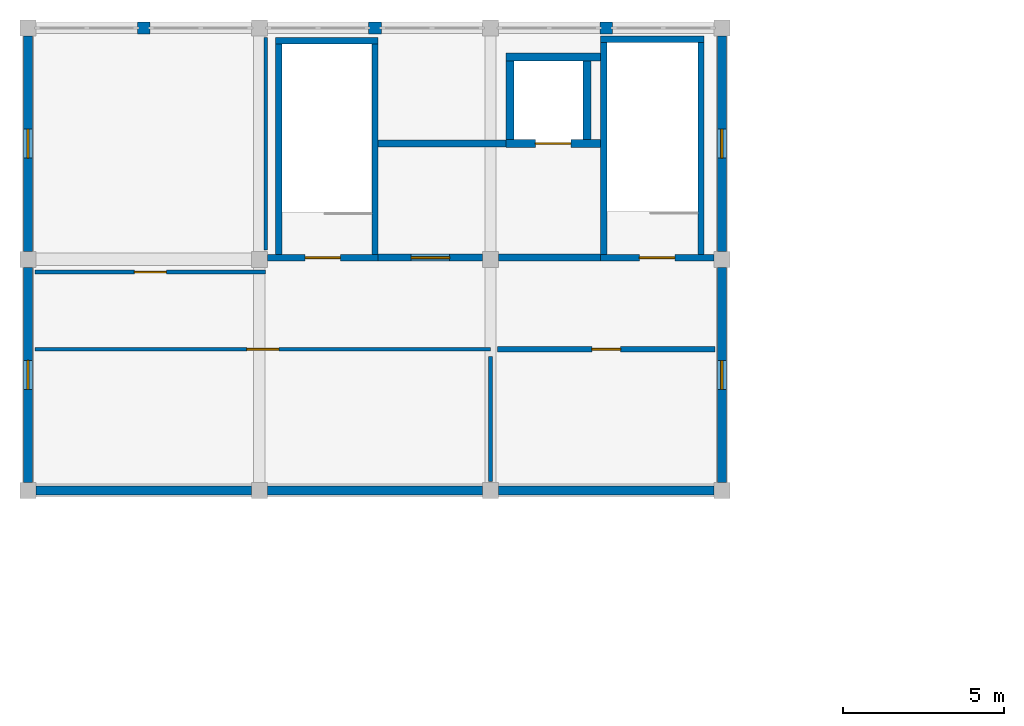
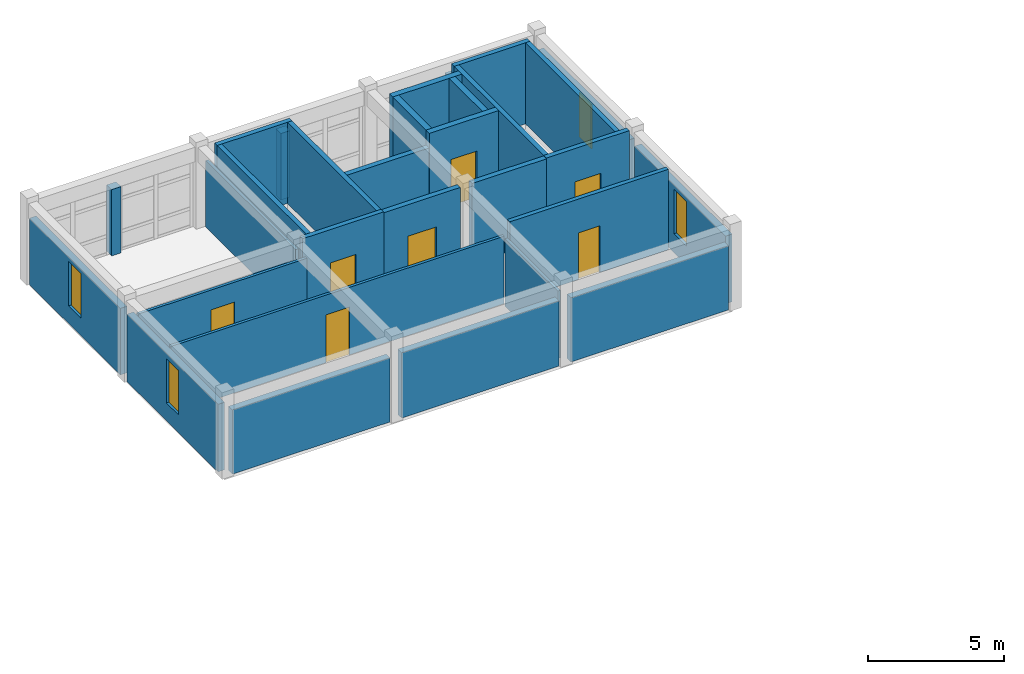
# One storey, part 12 of 14: 30 walls, 7 doors, 4 windows, 11 openings.
"""IFC4 building model written with IfcOpenShell, lengths in metres."""

import ifcopenshell
import ifcopenshell.guid

model = None  # the IFC model being written
_history = None  # IfcOwnerHistory: only IFC2X3 demands one
_inside = {}  # id of a spatial element -> (the spatial element, [elements in it])
_under = {}  # id of a project, library or spatial element -> (it, [spatial elements below it])
_declared = {}  # id of a project -> (the project, [libraries it declares])
_typed = {}  # id of a type object -> (the type object, [elements of that type])
_made_of = {}  # id of a material, layer set ... -> (it, [elements and type objects made of it])


def new_model(schema):
    """Start an empty IFC model of exactly this schema.

    Asked for "IFC4X3", IfcOpenShell would pick the latest addendum, in which some entities
    have other attributes; the version numbers below select the first issue.
    IFC2X3 requires an IfcOwnerHistory on every rooted entity: one is made here for all.
    """
    global model, _history
    if schema == "IFC4X3":
        model = ifcopenshell.file(schema_version=(4, 3, 0, 0))
    else:
        model = ifcopenshell.file(schema=schema)
    _inside.clear()
    _under.clear()
    _declared.clear()
    _typed.clear()
    _made_of.clear()
    _history = None
    if model.schema == "IFC2X3":
        org = make("IfcOrganization", Name="unknown")
        user = make(
            "IfcPersonAndOrganization",
            ThePerson=make("IfcPerson", FamilyName="unknown"),
            TheOrganization=org,
        )
        app = make(
            "IfcApplication",
            ApplicationDeveloper=org,
            Version="unknown",
            ApplicationFullName="unknown",
            ApplicationIdentifier="unknown",
        )
        _history = make(
            "IfcOwnerHistory",
            OwningUser=user,
            OwningApplication=app,
            ChangeAction="ADDED",
            CreationDate=0,
        )
    return model


def make(cls, **values):
    """One entity of the class cls with the attributes given. An attribute that is None is left unset."""
    return model.create_entity(
        cls, **{name: value for name, value in values.items() if value is not None}
    )


def rooted(cls, **values):
    """An entity with a GlobalId (a new one), such as an element, a storey or a relation."""
    return make(cls, GlobalId=ifcopenshell.guid.new(), OwnerHistory=_history, **values)


def si_unit(unit_type, name, prefix=None):
    """IfcSIUnit, for example si_unit("LENGTHUNIT", "METRE", prefix="MILLI")."""
    return make("IfcSIUnit", UnitType=unit_type, Prefix=prefix, Name=name)


def assignment(units):
    """IfcUnitAssignment: the units of a project."""
    return None if units is None else make("IfcUnitAssignment", Units=units)


def point(xyz):
    """IfcCartesianPoint."""
    return None if xyz is None else make("IfcCartesianPoint", Coordinates=xyz)


def direction(xyz):
    """IfcDirection."""
    return None if xyz is None else make("IfcDirection", DirectionRatios=xyz)


def frame(location, z_axis=None, x_axis=None):
    """IfcAxis2Placement3D, a coordinate frame: its origin and axes. An axis left out is left unset."""
    return make(
        "IfcAxis2Placement3D",
        Location=point(location),
        Axis=direction(z_axis),
        RefDirection=direction(x_axis),
    )


def frame_2d(location, x_axis=None):
    """IfcAxis2Placement2D, a coordinate frame in the plane: its origin and x axis."""
    return make(
        "IfcAxis2Placement2D", Location=point(location), RefDirection=direction(x_axis)
    )


def origin():
    """The frame at (0, 0, 0) with its axes left unset."""
    return frame((0.0, 0.0, 0.0))


def place(relative_to, where):
    """IfcLocalPlacement: puts the frame where relative to a parent placement (None: the world)."""
    return make(
        "IfcLocalPlacement", PlacementRelTo=relative_to, RelativePlacement=where
    )


def context(
    kind, dimensions, precision=None, world=None, true_north=None, identifier=None
):
    """IfcGeometricRepresentationContext, for example the 3D "Model" context."""
    return make(
        "IfcGeometricRepresentationContext",
        ContextIdentifier=identifier,
        ContextType=kind,
        CoordinateSpaceDimension=dimensions,
        Precision=precision,
        WorldCoordinateSystem=world,
        TrueNorth=true_north,
    )


def subcontext(parent, identifier, kind, view, scale=None):
    """IfcGeometricRepresentationSubContext, for example "Body" below "Model"."""
    return make(
        "IfcGeometricRepresentationSubContext",
        ContextIdentifier=identifier,
        ContextType=kind,
        ParentContext=parent,
        TargetScale=scale,
        TargetView=view,
    )


def project(units=None, contexts=None):
    """IfcProject with its units and contexts."""
    return rooted(
        "IfcProject",
        Name="project",
        RepresentationContexts=contexts,
        UnitsInContext=assignment(units),
    )


def spatial(cls, under=None, at=None, **own):
    """A site, building, storey or space (cls), placed at a placement, below another one or the project."""
    s = rooted(cls, ObjectPlacement=at, **own)
    if under is not None:
        _under.setdefault(under.id(), (under, []))[1].append(s)
    return s


def profile(cls, at=None, kind="AREA", **sizes):
    """A parametric profile (cls). Its sizes go by their IFC names, for example OverallWidth=200.0."""
    return make(cls, ProfileType=kind, Position=at, **sizes)


def rectangle(**sizes):
    """IfcRectangleProfileDef."""
    return profile("IfcRectangleProfileDef", **sizes)


def extrude(swept, where, along, depth):
    """IfcExtrudedAreaSolid: the profile swept, set in the frame where, extruded along a direction by depth."""
    return make(
        "IfcExtrudedAreaSolid",
        SweptArea=swept,
        Position=where,
        ExtrudedDirection=direction(along),
        Depth=depth,
    )


def shape(context_of_items, identifier, shape_type, items):
    """IfcShapeRepresentation: the items that make up one representation, for example the "Body"."""
    return make(
        "IfcShapeRepresentation",
        ContextOfItems=context_of_items,
        RepresentationIdentifier=identifier,
        RepresentationType=shape_type,
        Items=items,
    )


def material(Name=None, Category=None):
    """IfcMaterial."""
    return make("IfcMaterial", Name=Name, Category=Category)


def layer(
    of_material, thickness, ventilated=None, Name=None, Category=None, Priority=None
):
    """IfcMaterialLayer: one layer of a wall or slab, of a material (None: an air gap)."""
    return make(
        "IfcMaterialLayer",
        Material=of_material,
        LayerThickness=thickness,
        IsVentilated=ventilated,
        Name=Name,
        Category=Category,
        Priority=Priority,
    )


def layer_set(layers, Name=None):
    """IfcMaterialLayerSet."""
    return make("IfcMaterialLayerSet", MaterialLayers=layers, LayerSetName=Name)


def made_of(thing, what):
    """Note that an element or type object is made of a material, layer set ...; save() writes the relation."""
    if what is not None:
        _made_of.setdefault(what.id(), (what, []))[1].append(thing)
    return thing


def type_object(cls, material=None, **own):
    """A type object (cls), such as IfcWallType, which elements share."""
    return made_of(rooted(cls, **own), material)


def element(
    cls,
    number,
    at=None,
    inside=None,
    cuts=None,
    type_object=None,
    material=None,
    context=None,
    identifier="Body",
    shape_type=None,
    held_by="IfcProductDefinitionShape",
    body=None,
    shapes=None,
    **own,
):
    """One element of the class cls, such as IfcWall. Its Tag is "e" and its number.

    at: its placement. inside: the storey or other place that contains it. cuts: it is an
    opening in that element (IfcRelVoidsElement). A single representation is given by context,
    identifier, shape_type and body (its items); several are given by shapes. held_by: the class
    of the entity that holds the representations. save() writes the other relations.
    """
    e = rooted(cls, Tag="e%d" % number, ObjectPlacement=at, **own)
    if body is not None:
        shapes = [shape(context, identifier, shape_type, body)]
    if shapes is not None:
        e.Representation = make(held_by, Representations=shapes)
    if inside is not None:
        _inside.setdefault(inside.id(), (inside, []))[1].append(e)
    if cuts is not None:
        rooted(
            "IfcRelVoidsElement", RelatingBuildingElement=cuts, RelatedOpeningElement=e
        )
    if type_object is not None:
        _typed.setdefault(type_object.id(), (type_object, []))[1].append(e)
    return made_of(e, material)


def fill(opening, filler):
    """IfcRelFillsElement: the door or window that sits in an opening."""
    return rooted(
        "IfcRelFillsElement",
        RelatingOpeningElement=opening,
        RelatedBuildingElement=filler,
    )


def aggregate(whole, parts):
    """IfcRelAggregates: a whole, such as a stair, and the parts it consists of."""
    return rooted("IfcRelAggregates", RelatingObject=whole, RelatedObjects=parts)


def save(model, path):
    """Write the relations noted so far, then the file.

    IfcRelAggregates (storeys below a building ...), IfcRelContainedInSpatialStructure (elements
    in a storey), IfcRelDefinesByType, IfcRelAssociatesMaterial and IfcRelDeclares: one each for
    every whole, place, type object, material and project.
    """
    for whole, parts in _under.values():
        aggregate(whole, parts)
    for where, things in _inside.values():
        rooted(
            "IfcRelContainedInSpatialStructure",
            RelatedElements=things,
            RelatingStructure=where,
        )
    for kind, things in _typed.values():
        rooted("IfcRelDefinesByType", RelatedObjects=things, RelatingType=kind)
    for what, things in _made_of.values():
        rooted("IfcRelAssociatesMaterial", RelatedObjects=things, RelatingMaterial=what)
    for by, libraries in _declared.values():
        rooted("IfcRelDeclares", RelatingContext=by, RelatedDefinitions=libraries)
    model.write(path)


model = new_model("IFC4")

# Units and contexts
model_context = context("Model", 3, precision=1e-05, world=origin(), true_north=direction((0.0, 1.0)))
body_context = subcontext(model_context, "Body", "Model", "MODEL_VIEW")
ifc_project = project(units=[si_unit("LENGTHUNIT", "METRE"), si_unit("AREAUNIT", "SQUARE_METRE"), si_unit("VOLUMEUNIT", "CUBIC_METRE"), si_unit("PLANEANGLEUNIT", "RADIAN"), si_unit("MASSUNIT", "GRAM", prefix="KILO")], contexts=[model_context])

# Site, building, storey
site_placement = place(None, origin())
site = spatial("IfcSite", under=ifc_project, at=site_placement, CompositionType="ELEMENT")
building_placement = place(site_placement, origin())
building = spatial("IfcBuilding", under=site, at=building_placement, Name="Koriwan Promenade Central Fire Station", CompositionType="ELEMENT")
storey_placement = place(building_placement, frame((0.0, 0.0, 21.300048828125)))
storey = spatial("IfcBuildingStorey", under=building, at=storey_placement, Name="L05", CompositionType="ELEMENT", Elevation=21.300048828125)

# Walls
ifc_material_1 = material(Name="Natural sillar sandstone ashlar", Category="masonry")
ifc_layer_1 = layer(ifc_material_1, 0.360107421875, Name="Natural sillar sandstone ashlar")
ifc_layer_set_1 = layer_set([ifc_layer_1], Name="Natural sillar sandstone ashlar")
wall_type_1 = type_object("IfcWallType", Name="ExtWall_SillarBase_360", PredefinedType="SOLIDWALL", material=ifc_layer_set_1)
for number, where, z_axis, x_axis, name in (
    (1, (97.39990234375, 115.199951171875, 0.0), (0.0, 0.0, 1.0), (-1.0, 0.0, 0.0), "V2 L05 sillar facade mullion pier 103"),
    (2, (90.199951171875, 115.199951171875, 0.0), (0.0, 0.0, 1.0), (-1.0, 0.0, 0.0), "V2 L05 sillar facade mullion pier 104"),
    (3, (83.0, 115.199951171875, 0.0), (0.0, 0.0, 1.0), (-1.0, 0.0, 0.0), "V2 L05 sillar facade mullion pier 105"),
):
    element("IfcWall", number, at=place(storey_placement, frame(where, z_axis=z_axis, x_axis=x_axis)), inside=storey, type_object=wall_type_1, Name=name, PredefinedType="SOLIDWALL", context=body_context, shape_type="SweptSolid", body=[
        extrude(rectangle(XDim=0.39990234375, YDim=0.360107421875, at=frame_2d((0.199951171875, 0.0))), origin(), (0.0, 0.0, 1.0), 2.989990234375),
    ])

# Wall, opening, window
ifc_material_2 = material(Name="Precast concrete C40/50", Category="concrete")
ifc_layer_2 = layer(ifc_material_2, 0.280029296875, Name="Precast concrete C40/50")
ifc_layer_set_2 = layer_set([ifc_layer_2], Name="Precast concrete C40/50")
wall_type_2 = type_object("IfcWallType", Name="ExtWall_Terracotta_280", PredefinedType="ELEMENTEDWALL", material=ifc_layer_set_2)
wall_1_placement = place(storey_placement, frame((100.800048828125, 101.050048828125, 0.0), z_axis=(0.0, 0.0, 1.0), x_axis=(0.0, 1.0, 0.0)))
wall_1 = element("IfcWall", 4, at=wall_1_placement, inside=storey, type_object=wall_type_2, Name="V2 L05 exterior wall 101", PredefinedType="ELEMENTEDWALL", context=body_context, shape_type="SweptSolid", body=[
    extrude(rectangle(XDim=6.699951171875, YDim=0.280029296875, at=frame_2d((3.35009765625, 0.0))), origin(), (0.0, 0.0, 1.0), 3.0400390625),
])
opening_1_placement = place(wall_1_placement, frame((2.89990234375, 0.0, 0.85009765625)))
opening_1 = element("IfcOpeningElement", 5, at=opening_1_placement, cuts=wall_1, Name="Opening W-04", PredefinedType="OPENING", context=body_context, shape_type="SweptSolid", body=[
    extrude(rectangle(XDim=0.89990234375, YDim=2.0, at=frame_2d((0.449951171875, 1.0))), frame((0.0, 0.15185546875, 0.0), z_axis=(0.0, -1.0, 0.0), x_axis=(1.0, 0.0, 0.0)), (0.0, 0.0, 1.0), 0.303955078125),
])
ifc_material_3 = material(Name="Solar-control low-E laminated double glazing", Category="glass")
window_type = type_object("IfcWindowType", Name="Win_HQ_900x2000", PartitioningType="SINGLE_PANEL", PredefinedType="WINDOW", material=ifc_material_3)
window_1_placement = place(opening_1_placement, origin())
window_1 = element("IfcWindow", 6, at=window_1_placement, inside=storey, type_object=window_type, Name="V2 L05 window 0043", OverallHeight=2.0, OverallWidth=0.89990234375, PartitioningType="SINGLE_PANEL", PredefinedType="WINDOW", context=body_context, shape_type="SweptSolid", body=[
    extrude(rectangle(XDim=0.89990234375, YDim=2.0, at=frame_2d((0.449951171875, 1.0))), frame((0.0, 0.030029296875, 0.0), z_axis=(0.0, -1.0, 0.0), x_axis=(1.0, 0.0, 0.0)), (0.0, 0.0, 1.0), 0.06005859375),
])
fill(opening_1, window_1)

wall_2_placement = place(storey_placement, frame((100.800048828125, 108.25, 0.0), z_axis=(0.0, 0.0, 1.0), x_axis=(0.0, 1.0, 0.0)))
wall_2 = element("IfcWall", 7, at=wall_2_placement, inside=storey, type_object=wall_type_2, Name="V2 L05 exterior wall 102", PredefinedType="ELEMENTEDWALL", context=body_context, shape_type="SweptSolid", body=[
    extrude(rectangle(XDim=6.699951171875, YDim=0.280029296875, at=frame_2d((3.35009765625, 0.0))), origin(), (0.0, 0.0, 1.0), 2.989990234375),
])
opening_2_placement = place(wall_2_placement, frame((2.89990234375, 0.0, 0.800048828125)))
opening_2 = element("IfcOpeningElement", 8, at=opening_2_placement, cuts=wall_2, Name="Opening W-04", PredefinedType="OPENING", context=body_context, shape_type="SweptSolid", body=[
    extrude(rectangle(XDim=0.89990234375, YDim=2.0, at=frame_2d((0.449951171875, 1.0))), frame((0.0, 0.15185546875, 0.0), z_axis=(0.0, -1.0, 0.0), x_axis=(1.0, 0.0, 0.0)), (0.0, 0.0, 1.0), 0.303955078125),
])
window_2_placement = place(opening_2_placement, origin())
window_2 = element("IfcWindow", 9, at=window_2_placement, inside=storey, type_object=window_type, Name="V2 L05 window 0044", OverallHeight=2.0, OverallWidth=0.89990234375, PartitioningType="SINGLE_PANEL", PredefinedType="WINDOW", context=body_context, shape_type="SweptSolid", body=[
    extrude(rectangle(XDim=0.89990234375, YDim=2.0, at=frame_2d((0.449951171875, 1.0))), frame((0.0, 0.030029296875, 0.0), z_axis=(0.0, -1.0, 0.0), x_axis=(1.0, 0.0, 0.0)), (0.0, 0.0, 1.0), 0.06005859375),
])
fill(opening_2, window_2)

wall_3_placement = place(storey_placement, frame((79.199951171875, 114.949951171875, 0.0), z_axis=(0.0, 0.0, 1.0), x_axis=(0.0, -1.0, 0.0)))
wall_3 = element("IfcWall", 10, at=wall_3_placement, inside=storey, type_object=wall_type_2, Name="V2 L05 exterior wall 106", PredefinedType="ELEMENTEDWALL", context=body_context, shape_type="SweptSolid", body=[
    extrude(rectangle(XDim=6.699951171875, YDim=0.280029296875, at=frame_2d((3.35009765625, 0.0))), origin(), (0.0, 0.0, 1.0), 2.989990234375),
])
opening_3_placement = place(wall_3_placement, frame((2.89990234375, 0.0, 0.800048828125)))
opening_3 = element("IfcOpeningElement", 11, at=opening_3_placement, cuts=wall_3, Name="Opening W-04", PredefinedType="OPENING", context=body_context, shape_type="SweptSolid", body=[
    extrude(rectangle(XDim=0.89990234375, YDim=2.0, at=frame_2d((0.449951171875, 1.0))), frame((0.0, 0.15185546875, 0.0), z_axis=(0.0, -1.0, 0.0), x_axis=(1.0, 0.0, 0.0)), (0.0, 0.0, 1.0), 0.303955078125),
])
window_3_placement = place(opening_3_placement, origin())
window_3 = element("IfcWindow", 12, at=window_3_placement, inside=storey, type_object=window_type, Name="V2 L05 window 0045", OverallHeight=2.0, OverallWidth=0.89990234375, PartitioningType="SINGLE_PANEL", PredefinedType="WINDOW", context=body_context, shape_type="SweptSolid", body=[
    extrude(rectangle(XDim=0.89990234375, YDim=2.0, at=frame_2d((0.449951171875, 1.0))), frame((0.0, 0.030029296875, 0.0), z_axis=(0.0, -1.0, 0.0), x_axis=(1.0, 0.0, 0.0)), (0.0, 0.0, 1.0), 0.06005859375),
])
fill(opening_3, window_3)

wall_4_placement = place(storey_placement, frame((79.199951171875, 107.75, 0.0), z_axis=(0.0, 0.0, 1.0), x_axis=(0.0, -1.0, 0.0)))
wall_4 = element("IfcWall", 13, at=wall_4_placement, inside=storey, type_object=wall_type_2, Name="V2 L05 exterior wall 107", PredefinedType="ELEMENTEDWALL", context=body_context, shape_type="SweptSolid", body=[
    extrude(rectangle(XDim=6.699951171875, YDim=0.280029296875, at=frame_2d((3.35009765625, 0.0))), origin(), (0.0, 0.0, 1.0), 3.0400390625),
])
opening_4_placement = place(wall_4_placement, frame((2.89990234375, 0.0, 0.800048828125)))
opening_4 = element("IfcOpeningElement", 14, at=opening_4_placement, cuts=wall_4, Name="Opening W-04", PredefinedType="OPENING", context=body_context, shape_type="SweptSolid", body=[
    extrude(rectangle(XDim=0.89990234375, YDim=2.0, at=frame_2d((0.449951171875, 1.0))), frame((0.0, 0.15185546875, 0.0), z_axis=(0.0, -1.0, 0.0), x_axis=(1.0, 0.0, 0.0)), (0.0, 0.0, 1.0), 0.303955078125),
])
window_4_placement = place(opening_4_placement, origin())
window_4 = element("IfcWindow", 15, at=window_4_placement, inside=storey, type_object=window_type, Name="V2 L05 window 0046", OverallHeight=2.0, OverallWidth=0.89990234375, PartitioningType="SINGLE_PANEL", PredefinedType="WINDOW", context=body_context, shape_type="SweptSolid", body=[
    extrude(rectangle(XDim=0.89990234375, YDim=2.0, at=frame_2d((0.449951171875, 1.0))), frame((0.0, 0.030029296875, 0.0), z_axis=(0.0, -1.0, 0.0), x_axis=(1.0, 0.0, 0.0)), (0.0, 0.0, 1.0), 0.06005859375),
])
fill(opening_4, window_4)

# Walls
wall_5_placement = place(storey_placement, frame((79.449951171875, 100.800048828125, 0.0), z_axis=(0.0, 0.0, 1.0), x_axis=(1.0, 0.0, 0.0)))
element("IfcWall", 16, at=wall_5_placement, inside=storey, type_object=wall_type_2, Name="V2 L05 exterior wall 108", PredefinedType="ELEMENTEDWALL", context=body_context, shape_type="SweptSolid", body=[
    extrude(rectangle(XDim=6.699951171875, YDim=0.280029296875, at=frame_2d((3.35009765625, 0.0))), origin(), (0.0, 0.0, 1.0), 2.889892578125),
])
wall_6_placement = place(storey_placement, frame((86.64990234375, 100.800048828125, 0.0), z_axis=(0.0, 0.0, 1.0), x_axis=(1.0, 0.0, 0.0)))
element("IfcWall", 17, at=wall_6_placement, inside=storey, type_object=wall_type_2, Name="V2 L05 exterior wall 109", PredefinedType="ELEMENTEDWALL", context=body_context, shape_type="SweptSolid", body=[
    extrude(rectangle(XDim=6.7001953125, YDim=0.280029296875, at=frame_2d((3.35009765625, 0.0))), origin(), (0.0, 0.0, 1.0), 2.93994140625),
])
wall_7_placement = place(storey_placement, frame((93.85009765625, 100.800048828125, 0.0), z_axis=(0.0, 0.0, 1.0), x_axis=(1.0, 0.0, 0.0)))
element("IfcWall", 18, at=wall_7_placement, inside=storey, type_object=wall_type_2, Name="V2 L05 exterior wall 110", PredefinedType="ELEMENTEDWALL", context=body_context, shape_type="SweptSolid", body=[
    extrude(rectangle(XDim=6.699951171875, YDim=0.280029296875, at=frame_2d((3.35009765625, 0.0))), origin(), (0.0, 0.0, 1.0), 2.889892578125),
])

# Wall, opening, door
ifc_material_4 = material(Name="Gypsum board acoustic stud partition", Category="gypsum")
ifc_layer_3 = layer(ifc_material_4, 0.1201171875, Name="Gypsum board acoustic stud partition")
ifc_layer_set_3 = layer_set([ifc_layer_3], Name="Gypsum board acoustic stud partition")
wall_type_3 = type_object("IfcWallType", Name="IntWall_Drywall_120", PredefinedType="PARTITIONING", material=ifc_layer_set_3)
wall_8_placement = place(storey_placement, frame((79.419921875, 107.60009765625, 0.0), z_axis=(0.0, 0.0, 1.0), x_axis=(1.0, 0.0, 0.0)))
wall_8 = element("IfcWall", 19, at=wall_8_placement, inside=storey, type_object=wall_type_3, Name="Drill Tower Abseil Training Room partition S", PredefinedType="PARTITIONING", context=body_context, shape_type="SweptSolid", body=[
    extrude(rectangle(XDim=7.18017578125, YDim=0.1201171875, at=frame_2d((3.590087890625, 0.0))), origin(), (0.0, 0.0, 1.0), 3.037841796875),
])
opening_5_placement = place(wall_8_placement, frame((3.090087890625, 0.0, 0.0)))
opening_5 = element("IfcOpeningElement", 20, at=opening_5_placement, cuts=wall_8, Name="Opening D-145", PredefinedType="OPENING", context=body_context, shape_type="SweptSolid", body=[
    extrude(rectangle(XDim=1.0, YDim=2.14990234375, at=frame_2d((0.5, 1.074951171875))), frame((0.0, 0.072021484375, 0.0), z_axis=(0.0, -1.0, 0.0), x_axis=(1.0, 0.0, 0.0)), (0.0, 0.0, 1.0), 0.14404296875),
])
ifc_material_5 = material(Name="Hardwood veneer solid-core timber", Category="wood")
door_type_1 = type_object("IfcDoorType", Name="RoomDoor_Office_1000x2150", OperationType="NOTDEFINED", PredefinedType="DOOR", material=ifc_material_5)
door_1_placement = place(opening_5_placement, origin())
door_1 = element("IfcDoor", 21, at=door_1_placement, inside=storey, type_object=door_type_1, Name="Drill Tower Abseil Training Room Door D-145", OperationType="SINGLE_SWING_LEFT", OverallHeight=2.14990234375, OverallWidth=1.0, PredefinedType="DOOR", context=body_context, shape_type="SweptSolid", body=[
    extrude(rectangle(XDim=1.0, YDim=2.14990234375, at=frame_2d((0.5, 1.074951171875))), frame((0.0, 0.02490234375, 0.0), z_axis=(0.0, -1.0, 0.0), x_axis=(1.0, 0.0, 0.0)), (0.0, 0.0, 1.0), 0.050048828125),
])
fill(opening_5, door_1)

# Wall
wall_9_placement = place(storey_placement, frame((86.60009765625, 108.2900390625, 0.0), z_axis=(0.0, 0.0, 1.0), x_axis=(0.0, 1.0, 0.0)))
element("IfcWall", 22, at=wall_9_placement, inside=storey, type_object=wall_type_3, Name="Drill Tower Abseil Training Room partition E", PredefinedType="PARTITIONING", context=body_context, shape_type="SweptSolid", body=[
    extrude(rectangle(XDim=6.619873046875, YDim=0.1201171875, at=frame_2d((3.31005859375, 0.0))), origin(), (0.0, 0.0, 1.0), 2.988037109375),
])

# Wall, opening, door
wall_10_placement = place(storey_placement, frame((79.419921875, 105.199951171875, 0.0), z_axis=(0.0, 0.0, 1.0), x_axis=(1.0, 0.0, 0.0)))
wall_10 = element("IfcWall", 23, at=wall_10_placement, inside=storey, type_object=wall_type_3, Name="Clean-Air SCBA Compressor Room partition N", PredefinedType="PARTITIONING", context=body_context, shape_type="SweptSolid", body=[
    extrude(rectangle(XDim=14.18017578125, YDim=0.1201171875, at=frame_2d((7.090087890625, 0.0))), origin(), (0.0, 0.0, 1.0), 3.037841796875),
])
opening_6_placement = place(wall_10_placement, frame((6.590087890625, 0.0, 0.0)))
opening_6 = element("IfcOpeningElement", 24, at=opening_6_placement, cuts=wall_10, Name="Opening D-146", PredefinedType="OPENING", context=body_context, shape_type="SweptSolid", body=[
    extrude(rectangle(XDim=1.0, YDim=2.14990234375, at=frame_2d((0.5, 1.074951171875))), frame((0.0, 0.072021484375, 0.0), z_axis=(0.0, -1.0, 0.0), x_axis=(1.0, 0.0, 0.0)), (0.0, 0.0, 1.0), 0.14404296875),
])
door_2_placement = place(opening_6_placement, origin())
door_2 = element("IfcDoor", 25, at=door_2_placement, inside=storey, type_object=door_type_1, Name="Clean-Air SCBA Compressor Room Door D-146", OperationType="SINGLE_SWING_RIGHT", OverallHeight=2.14990234375, OverallWidth=1.0, PredefinedType="DOOR", context=body_context, shape_type="SweptSolid", body=[
    extrude(rectangle(XDim=1.0, YDim=2.14990234375, at=frame_2d((0.5, 1.074951171875))), frame((0.0, 0.02490234375, 0.0), z_axis=(0.0, -1.0, 0.0), x_axis=(1.0, 0.0, 0.0)), (0.0, 0.0, 1.0), 0.050048828125),
])
fill(opening_6, door_2)

# Wall
wall_11_placement = place(storey_placement, frame((93.60009765625, 101.090087890625, 0.0), z_axis=(0.0, 0.0, 1.0), x_axis=(0.0, 1.0, 0.0)))
element("IfcWall", 26, at=wall_11_placement, inside=storey, type_object=wall_type_3, Name="Clean-Air SCBA Compressor Room partition E", PredefinedType="PARTITIONING", context=body_context, shape_type="SweptSolid", body=[
    extrude(rectangle(XDim=3.889892578125, YDim=0.1201171875, at=frame_2d((1.94482421875, 0.0))), origin(), (0.0, 0.0, 1.0), 3.037841796875),
])

# Wall, opening, door
ifc_material_6 = material(Name="Concrete C35/45 compartment wall", Category="concrete")
ifc_layer_4 = layer(ifc_material_6, 0.219970703125, Name="Concrete C35/45 compartment wall")
ifc_layer_set_4 = layer_set([ifc_layer_4], Name="Concrete C35/45 compartment wall")
wall_type_4 = type_object("IfcWallType", Name="IntWall_Plant_220", PredefinedType="STANDARD", material=ifc_layer_set_4)
wall_12_placement = place(storey_placement, frame((90.10205078125, 108.050048828125, 0.0), z_axis=(0.0, 0.0, 1.0), x_axis=(1.0, 0.0, 0.0)))
wall_12 = element("IfcWall", 27, at=wall_12_placement, inside=storey, type_object=wall_type_4, Name="Drill Tower Firefighting Lift Lobby L05 partition S", PredefinedType="STANDARD", context=body_context, shape_type="SweptSolid", body=[
    extrude(rectangle(XDim=3.245849609375, YDim=0.219970703125, at=frame_2d((1.623046875, 0.0))), origin(), (0.0, 0.0, 1.0), 3.619873046875),
])
opening_7_placement = place(wall_12_placement, frame((1.02294921875, 0.0, 0.0)))
opening_7 = element("IfcOpeningElement", 28, at=opening_7_placement, cuts=wall_12, Name="Opening D-144", PredefinedType="OPENING", context=body_context, shape_type="SweptSolid", body=[
    extrude(rectangle(XDim=1.199951171875, YDim=2.199951171875, at=frame_2d((0.60009765625, 1.10009765625))), frame((0.0, 0.1220703125, 0.0), z_axis=(0.0, -1.0, 0.0), x_axis=(1.0, 0.0, 0.0)), (0.0, 0.0, 1.0), 0.243896484375),
])
ifc_material_7 = material(Name="Painted galvanized fire-door steel", Category="steel")
door_type_2 = type_object("IfcDoorType", Name="FireDoor_Lobby_1200x2200", OperationType="NOTDEFINED", PredefinedType="DOOR", material=ifc_material_7)
door_3_placement = place(opening_7_placement, origin())
door_3 = element("IfcDoor", 29, at=door_3_placement, inside=storey, type_object=door_type_2, Name="Drill Tower Firefighting Lift Lobby L05 Door D-144", OperationType="SINGLE_SWING_RIGHT", OverallHeight=2.199951171875, OverallWidth=1.199951171875, PredefinedType="DOOR", context=body_context, shape_type="SweptSolid", body=[
    extrude(rectangle(XDim=1.199951171875, YDim=2.199951171875, at=frame_2d((0.60009765625, 1.10009765625))), frame((0.0, 0.02490234375, 0.0), z_axis=(0.0, -1.0, 0.0), x_axis=(1.0, 0.0, 0.0)), (0.0, 0.0, 1.0), 0.050048828125),
])
fill(opening_7, door_3)

# Walls
wall_13_placement = place(storey_placement, frame((93.85205078125, 108.050048828125, 0.0), z_axis=(0.0, 0.0, 1.0), x_axis=(1.0, 0.0, 0.0)))
element("IfcWall", 30, at=wall_13_placement, inside=storey, type_object=wall_type_4, Name="Drill Tower Firefighting Lift Lobby L05 partition S", PredefinedType="STANDARD", context=body_context, shape_type="SweptSolid", body=[
    extrude(rectangle(XDim=3.166015625, YDim=0.219970703125, at=frame_2d((1.5830078125, 0.0))), origin(), (0.0, 0.0, 1.0), 3.619873046875),
])
wall_14_placement = place(storey_placement, frame((90.10205078125, 111.60009765625, 0.0), z_axis=(0.0, 0.0, 1.0), x_axis=(1.0, 0.0, 0.0)))
element("IfcWall", 31, at=wall_14_placement, inside=storey, type_object=wall_type_4, Name="Drill Tower Firefighting Lift Lobby L05 partition N", PredefinedType="STANDARD", context=body_context, shape_type="SweptSolid", body=[
    extrude(rectangle(XDim=3.970947265625, YDim=0.219970703125, at=frame_2d((1.9853515625, 0.0))), origin(), (0.0, 0.0, 1.0), 2.988037109375),
])

# Wall, opening, door
ifc_material_8 = material(Name="Moisture-resistant sanitary chase wall", Category="gypsum")
ifc_layer_5 = layer(ifc_material_8, 0.179931640625, Name="Moisture-resistant sanitary chase wall")
ifc_layer_set_5 = layer_set([ifc_layer_5], Name="Moisture-resistant sanitary chase wall")
wall_type_5 = type_object("IfcWallType", Name="IntWall_Plumbing_180", PredefinedType="PLUMBINGWALL", material=ifc_layer_set_5)
wall_15_placement = place(storey_placement, frame((93.820068359375, 105.199951171875, 0.0), z_axis=(0.0, 0.0, 1.0), x_axis=(1.0, 0.0, 0.0)))
wall_15 = element("IfcWall", 32, at=wall_15_placement, inside=storey, type_object=wall_type_5, Name="Drill L05 Accessible WC partition N", PredefinedType="PLUMBINGWALL", context=body_context, shape_type="SweptSolid", body=[
    extrude(rectangle(XDim=6.760009765625, YDim=0.179931640625, at=frame_2d((3.3798828125, 0.0))), origin(), (0.0, 0.0, 1.0), 3.619873046875),
])
opening_8_placement = place(wall_15_placement, frame((2.929931640625, 0.0, 0.0)))
opening_8 = element("IfcOpeningElement", 33, at=opening_8_placement, cuts=wall_15, Name="Opening D-147", PredefinedType="OPENING", context=body_context, shape_type="SweptSolid", body=[
    extrude(rectangle(XDim=0.89990234375, YDim=2.10009765625, at=frame_2d((0.449951171875, 1.050048828125))), frame((0.0, 0.10205078125, 0.0), z_axis=(0.0, -1.0, 0.0), x_axis=(1.0, 0.0, 0.0)), (0.0, 0.0, 1.0), 0.203857421875),
])
ifc_material_9 = material(Name="High-pressure laminate moisture-resistant core", Category="wood")
door_type_3 = type_object("IfcDoorType", Name="RoomDoor_WC_900x2100", OperationType="NOTDEFINED", PredefinedType="DOOR", material=ifc_material_9)
door_4_placement = place(opening_8_placement, origin())
door_4 = element("IfcDoor", 34, at=door_4_placement, inside=storey, type_object=door_type_3, Name="Drill L05 Accessible WC Door D-147", OperationType="SINGLE_SWING_LEFT", OverallHeight=2.10009765625, OverallWidth=0.89990234375, PredefinedType="DOOR", context=body_context, shape_type="SweptSolid", body=[
    extrude(rectangle(XDim=0.89990234375, YDim=2.10009765625, at=frame_2d((0.449951171875, 1.050048828125))), frame((0.0, 0.02490234375, 0.0), z_axis=(0.0, -1.0, 0.0), x_axis=(1.0, 0.0, 0.0)), (0.0, 0.0, 1.0), 0.050048828125),
])
fill(opening_8, door_4)

ifc_material_10 = material(Name="Concrete C40/50", Category="concrete")
ifc_layer_6 = layer(ifc_material_10, 0.199951171875, Name="Concrete C40/50")
ifc_layer_set_6 = layer_set([ifc_layer_6], Name="Concrete C40/50")
wall_type_6 = type_object("IfcWallType", Name="ShearWall_200", PredefinedType="SHEAR", material=ifc_layer_set_6)
wall_16_placement = place(storey_placement, frame((97.02001953125, 108.050048828125, 0.0), z_axis=(0.0, 0.0, 1.0), x_axis=(1.0, 0.0, 0.0)))
wall_16 = element("IfcWall", 35, at=wall_16_placement, inside=storey, type_object=wall_type_6, Name="ST04 L05 structural stair wall S", PredefinedType="SHEAR", context=body_context, shape_type="SweptSolid", body=[
    extrude(rectangle(XDim=3.530029296875, YDim=0.199951171875, at=frame_2d((1.76513671875, 0.0))), origin(), (0.0, 0.0, 1.0), 3.64990234375),
])
opening_9_placement = place(wall_16_placement, frame((1.215087890625, 0.0, 0.0)))
opening_9 = element("IfcOpeningElement", 36, at=opening_9_placement, cuts=wall_16, Name="Opening SD-013", PredefinedType="OPENING", context=body_context, shape_type="SweptSolid", body=[
    extrude(rectangle(XDim=1.10009765625, YDim=2.14990234375, at=frame_2d((0.550048828125, 1.074951171875))), frame((0.0, 0.11181640625, 0.0), z_axis=(0.0, -1.0, 0.0), x_axis=(1.0, 0.0, 0.0)), (0.0, 0.0, 1.0), 0.223876953125),
])
door_type_4 = type_object("IfcDoorType", Name="FireDoor_Stair_1100x2150", OperationType="NOTDEFINED", PredefinedType="DOOR", material=ifc_material_7)
door_5_placement = place(opening_9_placement, origin())
door_5 = element("IfcDoor", 37, at=door_5_placement, inside=storey, type_object=door_type_4, Name="Protected Stair ST04 Fire Door SD-013", OperationType="SINGLE_SWING_RIGHT", OverallHeight=2.14990234375, OverallWidth=1.10009765625, PredefinedType="DOOR", context=body_context, shape_type="SweptSolid", body=[
    extrude(rectangle(XDim=1.10009765625, YDim=2.14990234375, at=frame_2d((0.550048828125, 1.074951171875))), frame((0.0, 0.02490234375, 0.0), z_axis=(0.0, -1.0, 0.0), x_axis=(1.0, 0.0, 0.0)), (0.0, 0.0, 1.0), 0.050048828125),
])
fill(opening_9, door_5)

# Walls
wall_17_placement = place(storey_placement, frame((97.02001953125, 114.85009765625, 0.0), z_axis=(0.0, 0.0, 1.0), x_axis=(1.0, 0.0, 0.0)))
element("IfcWall", 38, at=wall_17_placement, inside=storey, type_object=wall_type_6, Name="ST04 L05 structural stair wall N", PredefinedType="SHEAR", context=body_context, shape_type="SweptSolid", body=[
    extrude(rectangle(XDim=3.22998046875, YDim=0.199951171875, at=frame_2d((1.614990234375, 0.0))), origin(), (0.0, 0.0, 1.0), 3.64990234375),
])
for number, where, z_axis, x_axis, name in (
    (39, (97.1201171875, 108.14990234375, 0.0), (0.0, 0.0, 1.0), (0.0, 1.0, 0.0), "ST04 L05 structural stair wall W"),
    (40, (100.14990234375, 108.14990234375, 0.0), (0.0, 0.0, 1.0), (0.0, 1.0, 0.0), "ST04 L05 structural stair wall E"),
):
    element("IfcWall", number, at=place(storey_placement, frame(where, z_axis=z_axis, x_axis=x_axis)), inside=storey, type_object=wall_type_6, Name=name, PredefinedType="SHEAR", context=body_context, shape_type="SweptSolid", body=[
        extrude(rectangle(XDim=6.60009765625, YDim=0.199951171875, at=frame_2d((3.300048828125, 0.0))), origin(), (0.0, 0.0, 1.0), 3.64990234375),
    ])

# Wall, opening, door
wall_18_placement = place(storey_placement, frame((86.64990234375, 108.050048828125, 0.0), z_axis=(0.0, 0.0, 1.0), x_axis=(1.0, 0.0, 0.0)))
wall_18 = element("IfcWall", 41, at=wall_18_placement, inside=storey, type_object=wall_type_6, Name="ST09 L05 structural stair wall S", PredefinedType="SHEAR", context=body_context, shape_type="SweptSolid", body=[
    extrude(rectangle(XDim=3.4501953125, YDim=0.199951171875, at=frame_2d((1.72509765625, 0.0))), origin(), (0.0, 0.0, 1.0), 3.64990234375),
])
opening_10_placement = place(wall_18_placement, frame((1.175048828125, 0.0, 0.0)))
opening_10 = element("IfcOpeningElement", 42, at=opening_10_placement, cuts=wall_18, Name="Opening SD-019", PredefinedType="OPENING", context=body_context, shape_type="SweptSolid", body=[
    extrude(rectangle(XDim=1.10009765625, YDim=2.14990234375, at=frame_2d((0.550048828125, 1.074951171875))), frame((0.0, 0.11181640625, 0.0), z_axis=(0.0, -1.0, 0.0), x_axis=(1.0, 0.0, 0.0)), (0.0, 0.0, 1.0), 0.223876953125),
])
door_6_placement = place(opening_10_placement, origin())
door_6 = element("IfcDoor", 43, at=door_6_placement, inside=storey, type_object=door_type_4, Name="Protected Stair ST09 Fire Door SD-019", OperationType="SINGLE_SWING_RIGHT", OverallHeight=2.14990234375, OverallWidth=1.10009765625, PredefinedType="DOOR", context=body_context, shape_type="SweptSolid", body=[
    extrude(rectangle(XDim=1.10009765625, YDim=2.14990234375, at=frame_2d((0.550048828125, 1.074951171875))), frame((0.0, 0.02490234375, 0.0), z_axis=(0.0, -1.0, 0.0), x_axis=(1.0, 0.0, 0.0)), (0.0, 0.0, 1.0), 0.050048828125),
])
fill(opening_10, door_6)

# Walls
wall_19_placement = place(storey_placement, frame((86.909912109375, 114.81005859375, 0.0), z_axis=(0.0, 0.0, 1.0), x_axis=(1.0, 0.0, 0.0)))
element("IfcWall", 44, at=wall_19_placement, inside=storey, type_object=wall_type_6, Name="ST09 L05 structural stair wall N", PredefinedType="SHEAR", context=body_context, shape_type="SweptSolid", body=[
    extrude(rectangle(XDim=3.190185546875, YDim=0.199951171875, at=frame_2d((1.59521484375, 0.0))), origin(), (0.0, 0.0, 1.0), 3.64990234375),
])
for number, where, z_axis, x_axis, name in (
    (45, (87.010009765625, 108.14990234375, 0.0), (0.0, 0.0, 1.0), (0.0, 1.0, 0.0), "ST09 L05 structural stair wall W"),
    (46, (90.0, 108.14990234375, 0.0), (0.0, 0.0, 1.0), (0.0, 1.0, 0.0), "ST09 L05 structural stair wall E"),
):
    element("IfcWall", number, at=place(storey_placement, frame(where, z_axis=z_axis, x_axis=x_axis)), inside=storey, type_object=wall_type_6, Name=name, PredefinedType="SHEAR", context=body_context, shape_type="SweptSolid", body=[
        extrude(rectangle(XDim=6.56005859375, YDim=0.199951171875, at=frame_2d((3.280029296875, 0.0))), origin(), (0.0, 0.0, 1.0), 3.64990234375),
    ])

# Wall, opening, door
ifc_layer_7 = layer(ifc_material_10, 0.25, Name="Concrete C40/50")
ifc_layer_set_7 = layer_set([ifc_layer_7], Name="Concrete C40/50")
wall_type_7 = type_object("IfcWallType", Name="ShearWall_250", PredefinedType="SHEAR", material=ifc_layer_set_7)
wall_20_placement = place(storey_placement, frame((94.074951171875, 111.60009765625, 0.0), z_axis=(0.0, 0.0, 1.0), x_axis=(1.0, 0.0, 0.0)))
wall_20 = element("IfcWall", 47, at=wall_20_placement, inside=storey, type_object=wall_type_7, Name="LF02 shaft wall S (L05)", PredefinedType="SHEAR", context=body_context, shape_type="SweptSolid", body=[
    extrude(rectangle(XDim=2.945068359375, YDim=0.25, at=frame_2d((1.47265625, 0.0))), origin(), (0.0, 0.0, 1.0), 3.64990234375),
])
opening_11_placement = place(wall_20_placement, frame((0.922607421875, 0.0, 0.0)))
opening_11 = element("IfcOpeningElement", 48, at=opening_11_placement, cuts=wall_20, Name="Opening LD-LF02-L05", PredefinedType="OPENING", context=body_context, shape_type="SweptSolid", body=[
    extrude(rectangle(XDim=1.10009765625, YDim=2.14990234375, at=frame_2d((0.550048828125, 1.074951171875))), frame((0.0, 0.136962890625, 0.0), z_axis=(0.0, -1.0, 0.0), x_axis=(1.0, 0.0, 0.0)), (0.0, 0.0, 1.0), 0.27392578125),
])
ifc_material_11 = material(Name="Stainless steel 316", Category="steel")
door_type_5 = type_object("IfcDoorType", Name="LiftDoor_Fire_1100x2150", OperationType="SLIDING_TO_LEFT", PredefinedType="DOOR", material=ifc_material_11)
door_7_placement = place(opening_11_placement, origin())
door_7 = element("IfcDoor", 49, at=door_7_placement, inside=storey, type_object=door_type_5, Name="Lift LF02 Sliding Landing Door LD-LF02-L05", OperationType="SLIDING_TO_LEFT", OverallHeight=2.14990234375, OverallWidth=1.10009765625, PredefinedType="DOOR", context=body_context, shape_type="SweptSolid", body=[
    extrude(rectangle(XDim=1.10009765625, YDim=2.14990234375, at=frame_2d((0.550048828125, 1.074951171875))), frame((0.0, 0.02490234375, 0.0), z_axis=(0.0, -1.0, 0.0), x_axis=(1.0, 0.0, 0.0)), (0.0, 0.0, 1.0), 0.050048828125),
])
fill(opening_11, door_7)

# Walls
wall_21_placement = place(storey_placement, frame((94.074951171875, 114.300048828125, 0.0), z_axis=(0.0, 0.0, 1.0), x_axis=(1.0, 0.0, 0.0)))
element("IfcWall", 50, at=wall_21_placement, inside=storey, type_object=wall_type_7, Name="LF02 shaft wall N (L05)", PredefinedType="SHEAR", context=body_context, shape_type="SweptSolid", body=[
    extrude(rectangle(XDim=2.945068359375, YDim=0.25, at=frame_2d((1.47265625, 0.0))), origin(), (0.0, 0.0, 1.0), 3.64990234375),
])
for number, where, z_axis, x_axis, name in (
    (51, (94.199951171875, 111.72509765625, 0.0), (0.0, 0.0, 1.0), (0.0, 1.0, 0.0), "LF02 shaft wall W (L05)"),
    (52, (96.60009765625, 111.72509765625, 0.0), (0.0, 0.0, 1.0), (0.0, 1.0, 0.0), "LF02 shaft wall E (L05)"),
):
    element("IfcWall", number, at=place(storey_placement, frame(where, z_axis=z_axis, x_axis=x_axis)), inside=storey, type_object=wall_type_7, Name=name, PredefinedType="SHEAR", context=body_context, shape_type="SweptSolid", body=[
        extrude(rectangle(XDim=2.449951171875, YDim=0.25, at=frame_2d((1.22509765625, 0.0))), origin(), (0.0, 0.0, 1.0), 3.64990234375),
    ])

save(model, "model.ifc")
